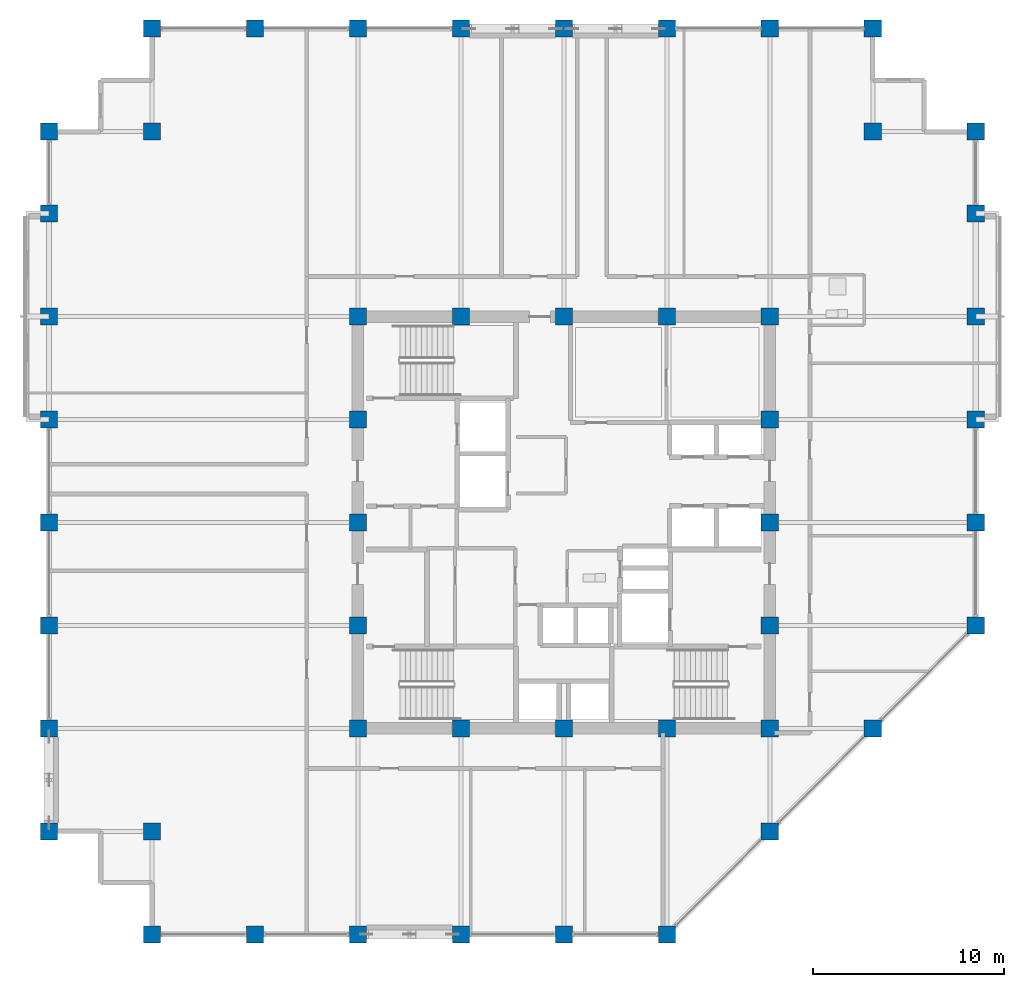
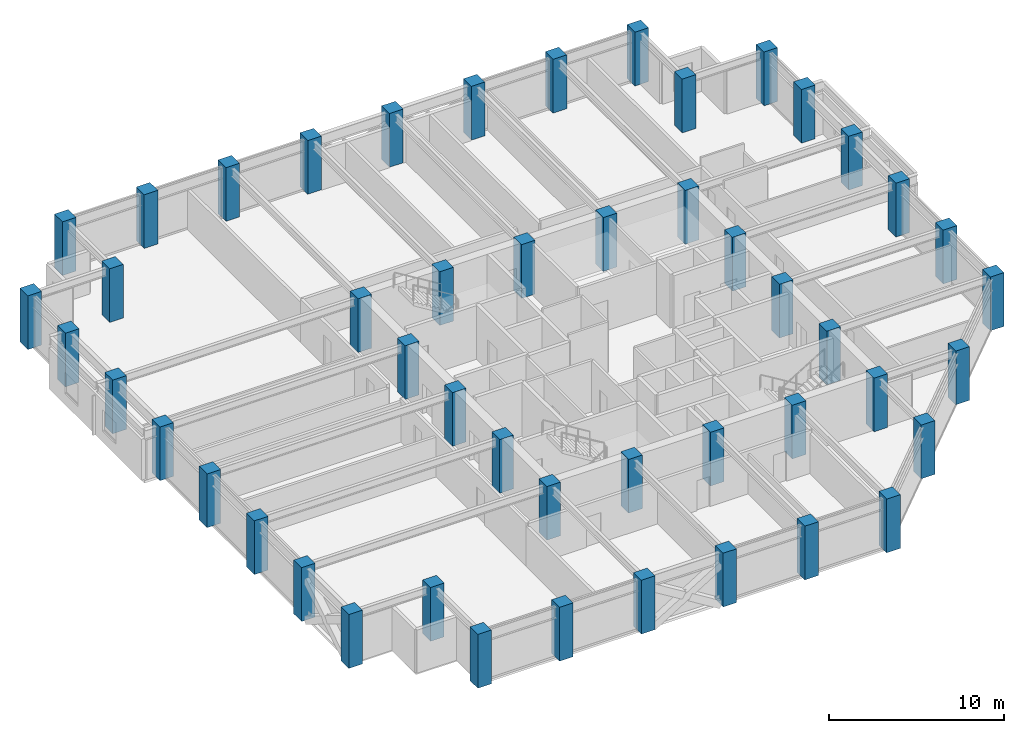
# One storey, part 1 of 32: 49 columns.
"""IFC4 building model written with IfcOpenShell, lengths in metres."""

from ifc_helpers import new_model, si_unit, direction, frame, origin, origin_2d, place, context, subcontext, project, spatial, rectangle, extrude, material, material_profile, profile_set, type_object, element, save


model = new_model("IFC4")

# Units and contexts
model_context = context("Model", 3, precision=1e-05, world=origin(), true_north=direction((0.0, 1.0)))
body_context = subcontext(model_context, "Body", "Model", "MODEL_VIEW")
ifc_project = project(units=[si_unit("LENGTHUNIT", "METRE"), si_unit("AREAUNIT", "SQUARE_METRE"), si_unit("VOLUMEUNIT", "CUBIC_METRE"), si_unit("PLANEANGLEUNIT", "RADIAN"), si_unit("MASSUNIT", "GRAM", prefix="KILO")], contexts=[model_context])

# Site, building, storey
site_placement = place(None, origin())
site = spatial("IfcSite", under=ifc_project, at=site_placement, CompositionType="ELEMENT")
building_placement = place(site_placement, origin())
building = spatial("IfcBuilding", under=site, at=building_placement, Name="Surkhivell Harbour Commons", CompositionType="ELEMENT")
storey_placement = place(building_placement, frame((0.0, 0.0, 186.0)))
storey = spatial("IfcBuildingStorey", under=building, at=storey_placement, Name="L48", CompositionType="ELEMENT", Elevation=186.0)

# Columns
ifc_material = material(Name="Concrete C60/75", Category="concrete")
ifc_material_profile = material_profile(ifc_material, rectangle(XDim=0.89990234375, YDim=0.89990234375, at=origin_2d()), Name="RC-COL-900x900")
ifc_profile_set = profile_set([ifc_material_profile], Name="Concrete C60/75")
column_type = type_object("IfcColumnType", Name="COL-TUBE-Z3A", PredefinedType="COLUMN", material=ifc_profile_set)
for number, where, z_axis, x_axis, name in (
    (1, (-27.0, -16.199951171875, 0.0), (0.0, 0.0, 1.0), (1.0, 0.0, 0.0), "L48 Column CT-3A (-27.0,-16.2)"),
    (2, (-27.0, -10.800048828125, 0.0), (0.0, 0.0, 1.0), (1.0, 0.0, 0.0), "L48 Column CT-3A (-27.0,-10.8)"),
    (3, (-27.0, -5.39990234375, 0.0), (0.0, 0.0, 1.0), (1.0, 0.0, 0.0), "L48 Column CT-3A (-27.0,-5.4)"),
    (4, (-27.0, 0.0, 0.0), (0.0, 0.0, 1.0), (1.0, 0.0, 0.0), "L48 Column CT-3A (-27.0,0.0)"),
    (5, (-27.0, 5.39990234375, 0.0), (0.0, 0.0, 1.0), (1.0, 0.0, 0.0), "L48 Column CT-3A (-27.0,5.4)"),
    (6, (-27.0, 10.800048828125, 0.0), (0.0, 0.0, 1.0), (1.0, 0.0, 0.0), "L48 Column CT-3A (-27.0,10.8)"),
    (7, (-27.0, 16.199951171875, 0.0), (0.0, 0.0, 1.0), (1.0, 0.0, 0.0), "L48 Column CT-3A (-27.0,16.2)"),
    (8, (-27.0, 20.5, 0.0), (0.0, 0.0, 1.0), (1.0, 0.0, 0.0), "L48 Column CT-3A (-27.0,20.5)"),
    (9, (-21.60009765625, -21.60009765625, 0.0), (0.0, 0.0, 1.0), (1.0, 0.0, 0.0), "L48 Column CT-3A (-21.6,-21.6)"),
    (10, (-21.60009765625, -16.199951171875, 0.0), (0.0, 0.0, 1.0), (1.0, 0.0, 0.0), "L48 Column CT-3A (-21.6,-16.2)"),
    (11, (-21.60009765625, 20.5, 0.0), (0.0, 0.0, 1.0), (1.0, 0.0, 0.0), "L48 Column CT-3A (-21.6,20.5)"),
    (12, (-21.60009765625, 25.89990234375, 0.0), (0.0, 0.0, 1.0), (1.0, 0.0, 0.0), "L48 Column CT-3A (-21.6,25.9)"),
    (13, (-16.199951171875, -21.60009765625, 0.0), (0.0, 0.0, 1.0), (1.0, 0.0, 0.0), "L48 Column CT-3A (-16.2,-21.6)"),
    (14, (-16.199951171875, 25.89990234375, 0.0), (0.0, 0.0, 1.0), (1.0, 0.0, 0.0), "L48 Column CT-3A (-16.2,25.9)"),
    (15, (-10.800048828125, -21.60009765625, 0.0), (0.0, 0.0, 1.0), (1.0, 0.0, 0.0), "L48 Column CT-3A (-10.8,-21.6)"),
    (16, (-10.800048828125, -10.800048828125, 0.0), (0.0, 0.0, 1.0), (1.0, 0.0, 0.0), "L48 Column CT-3A (-10.8,-10.8)"),
    (17, (-10.800048828125, -5.39990234375, 0.0), (0.0, 0.0, 1.0), (1.0, 0.0, 0.0), "L48 Column CT-3A (-10.8,-5.4)"),
    (18, (-10.800048828125, 0.0, 0.0), (0.0, 0.0, 1.0), (1.0, 0.0, 0.0), "L48 Column CT-3A (-10.8,0.0)"),
    (19, (-10.800048828125, 5.39990234375, 0.0), (0.0, 0.0, 1.0), (1.0, 0.0, 0.0), "L48 Column CT-3A (-10.8,5.4)"),
    (20, (-10.800048828125, 10.800048828125, 0.0), (0.0, 0.0, 1.0), (1.0, 0.0, 0.0), "L48 Column CT-3A (-10.8,10.8)"),
    (21, (-10.800048828125, 25.89990234375, 0.0), (0.0, 0.0, 1.0), (1.0, 0.0, 0.0), "L48 Column CT-3A (-10.8,25.9)"),
    (22, (-5.39990234375, -21.60009765625, 0.0), (0.0, 0.0, 1.0), (1.0, 0.0, 0.0), "L48 Column CT-3A (-5.4,-21.6)"),
    (23, (-5.39990234375, -10.800048828125, 0.0), (0.0, 0.0, 1.0), (1.0, 0.0, 0.0), "L48 Column CT-3A (-5.4,-10.8)"),
    (24, (-5.39990234375, 10.800048828125, 0.0), (0.0, 0.0, 1.0), (1.0, 0.0, 0.0), "L48 Column CT-3A (-5.4,10.8)"),
    (25, (-5.39990234375, 25.89990234375, 0.0), (0.0, 0.0, 1.0), (1.0, 0.0, 0.0), "L48 Column CT-3A (-5.4,25.9)"),
    (26, (0.0, -21.60009765625, 0.0), (0.0, 0.0, 1.0), (1.0, 0.0, 0.0), "L48 Column CT-3A (-0.0,-21.6)"),
    (27, (0.0, -10.800048828125, 0.0), (0.0, 0.0, 1.0), (1.0, 0.0, 0.0), "L48 Column CT-3A (0.0,-10.8)"),
    (28, (0.0, 10.800048828125, 0.0), (0.0, 0.0, 1.0), (1.0, 0.0, 0.0), "L48 Column CT-3A (0.0,10.8)"),
    (29, (0.0, 25.89990234375, 0.0), (0.0, 0.0, 1.0), (1.0, 0.0, 0.0), "L48 Column CT-3A (-0.0,25.9)"),
    (30, (5.39990234375, -21.60009765625, 0.0), (0.0, 0.0, 1.0), (1.0, 0.0, 0.0), "L48 Column CT-3A (5.4,-21.6)"),
    (31, (5.39990234375, -10.800048828125, 0.0), (0.0, 0.0, 1.0), (1.0, 0.0, 0.0), "L48 Column CT-3A (5.4,-10.8)"),
    (32, (5.39990234375, 10.800048828125, 0.0), (0.0, 0.0, 1.0), (1.0, 0.0, 0.0), "L48 Column CT-3A (5.4,10.8)"),
    (33, (5.39990234375, 25.89990234375, 0.0), (0.0, 0.0, 1.0), (1.0, 0.0, 0.0), "L48 Column CT-3A (5.4,25.9)"),
    (34, (10.800048828125, -16.199951171875, 0.0), (0.0, 0.0, 1.0), (1.0, 0.0, 0.0), "L48 Column CT-3A (10.8,-16.2)"),
    (35, (10.800048828125, -10.800048828125, 0.0), (0.0, 0.0, 1.0), (1.0, 0.0, 0.0), "L48 Column CT-3A (10.8,-10.8)"),
    (36, (10.800048828125, -5.39990234375, 0.0), (0.0, 0.0, 1.0), (1.0, 0.0, 0.0), "L48 Column CT-3A (10.8,-5.4)"),
    (37, (10.800048828125, 0.0, 0.0), (0.0, 0.0, 1.0), (1.0, 0.0, 0.0), "L48 Column CT-3A (10.8,0.0)"),
    (38, (10.800048828125, 5.39990234375, 0.0), (0.0, 0.0, 1.0), (1.0, 0.0, 0.0), "L48 Column CT-3A (10.8,5.4)"),
    (39, (10.800048828125, 10.800048828125, 0.0), (0.0, 0.0, 1.0), (1.0, 0.0, 0.0), "L48 Column CT-3A (10.8,10.8)"),
    (40, (10.800048828125, 25.89990234375, 0.0), (0.0, 0.0, 1.0), (1.0, 0.0, 0.0), "L48 Column CT-3A (10.8,25.9)"),
    (41, (16.199951171875, -10.800048828125, 0.0), (0.0, 0.0, 1.0), (1.0, 0.0, 0.0), "L48 Column CT-3A (16.2,-10.8)"),
    (42, (16.199951171875, 20.5, 0.0), (0.0, 0.0, 1.0), (1.0, 0.0, 0.0), "L48 Column CT-3A (16.2,20.5)"),
    (43, (16.199951171875, 25.89990234375, 0.0), (0.0, 0.0, 1.0), (1.0, 0.0, 0.0), "L48 Column CT-3A (16.2,25.9)"),
    (44, (21.60009765625, -5.39990234375, 0.0), (0.0, 0.0, 1.0), (1.0, 0.0, 0.0), "L48 Column CT-3A (21.6,-5.4)"),
    (45, (21.60009765625, 0.0, 0.0), (0.0, 0.0, 1.0), (1.0, 0.0, 0.0), "L48 Column CT-3A (21.6,0.0)"),
    (46, (21.60009765625, 5.39990234375, 0.0), (0.0, 0.0, 1.0), (1.0, 0.0, 0.0), "L48 Column CT-3A (21.6,5.4)"),
    (47, (21.60009765625, 10.800048828125, 0.0), (0.0, 0.0, 1.0), (1.0, 0.0, 0.0), "L48 Column CT-3A (21.6,10.8)"),
    (48, (21.60009765625, 16.199951171875, 0.0), (0.0, 0.0, 1.0), (1.0, 0.0, 0.0), "L48 Column CT-3A (21.6,16.2)"),
    (49, (21.60009765625, 20.5, 0.0), (0.0, 0.0, 1.0), (1.0, 0.0, 0.0), "L48 Column CT-3A (21.6,20.5)"),
):
    element("IfcColumn", number, at=place(storey_placement, frame(where, z_axis=z_axis, x_axis=x_axis)), inside=storey, type_object=column_type, Name=name, PredefinedType="COLUMN", context=body_context, shape_type="SweptSolid", body=[
        extrude(rectangle(XDim=0.89990234375, YDim=0.89990234375, at=origin_2d()), origin(), (0.0, 0.0, 1.0), 3.75),
    ])

save(model, "model.ifc")
